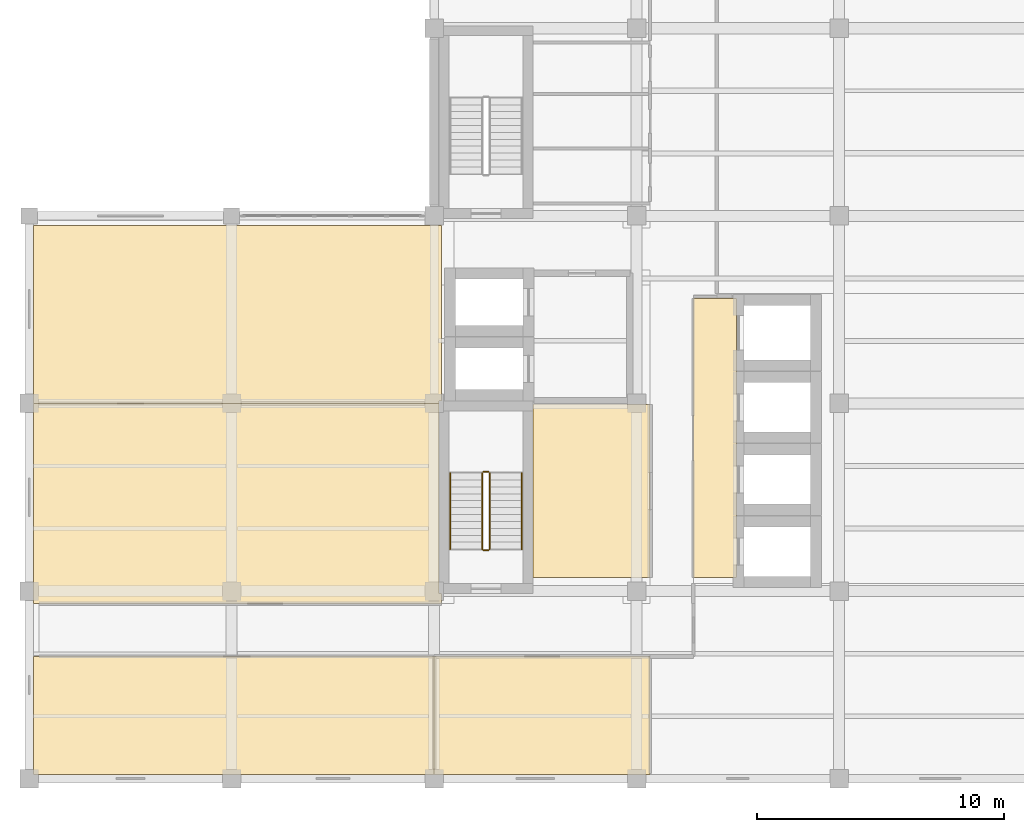
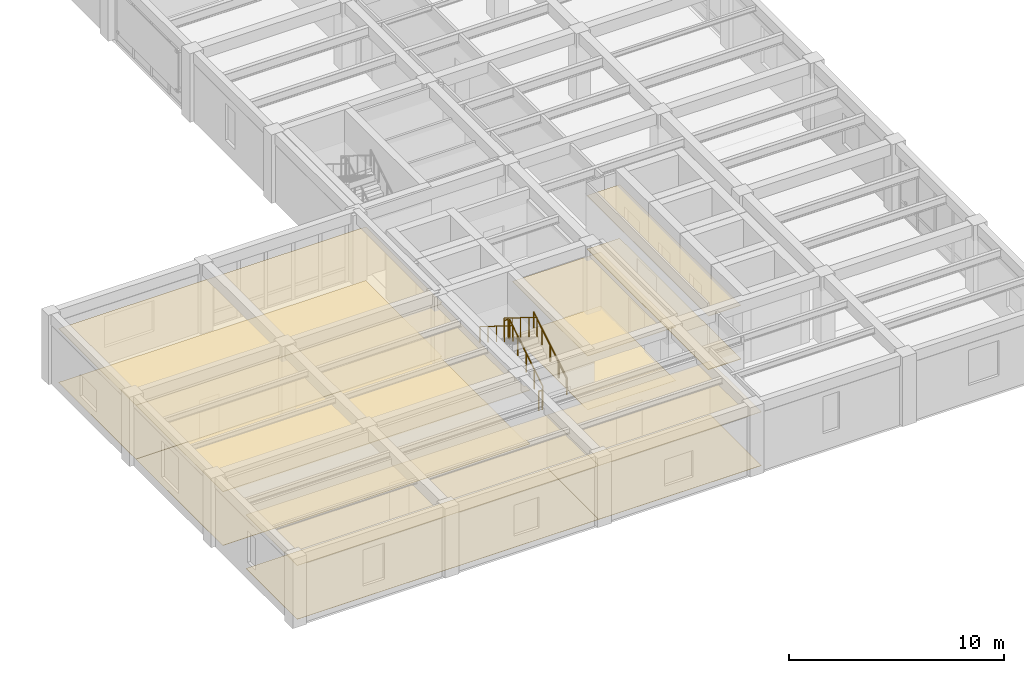
# One storey, part 11 of 14: 12 coverings, 6 railings.
"""IFC4 building model written with IfcOpenShell, lengths in metres."""

from ifc_helpers import new_model, si_unit, direction, frame, origin, origin_2d, place, context, subcontext, project, spatial, polyline, circle, outline, extrude, material, layer, layer_set, type_object, element, save


model = new_model("IFC4")

# Units and contexts
model_context = context("Model", 3, precision=1e-05, world=origin(), true_north=direction((0.0, 1.0)))
body_context = subcontext(model_context, "Body", "Model", "MODEL_VIEW")
ifc_project = project(units=[si_unit("LENGTHUNIT", "METRE"), si_unit("AREAUNIT", "SQUARE_METRE"), si_unit("VOLUMEUNIT", "CUBIC_METRE"), si_unit("PLANEANGLEUNIT", "RADIAN"), si_unit("MASSUNIT", "GRAM", prefix="KILO")], contexts=[model_context])

# Site, building, storey
site_placement = place(None, origin())
site = spatial("IfcSite", under=ifc_project, at=site_placement, CompositionType="ELEMENT")
building_placement = place(site_placement, origin())
building = spatial("IfcBuilding", under=site, at=building_placement, Name="Qandaris Square Conservatory and Botanical Centre", CompositionType="ELEMENT")
storey_placement = place(building_placement, frame((0.0, 0.0, 49.199951171875)))
storey = spatial("IfcBuildingStorey", under=building, at=storey_placement, Name="L11", CompositionType="ELEMENT", Elevation=49.199951171875)

# Coverings
ifc_material_1 = material(Name="Honed Qatari Limestone", Category="masonry")
ifc_layer_1 = layer(ifc_material_1, 0.030029296875)
ifc_layer_set_1 = layer_set([ifc_layer_1], Name="Honed Qatari Limestone")
covering_type_1 = type_object("IfcCoveringType", Name="Honed Qatari Limestone Concourse Paving", PredefinedType="FLOORING", material=ifc_layer_set_1)
covering_1_placement = place(storey_placement, origin())
element("IfcCovering", 1, at=covering_1_placement, inside=storey, type_object=covering_type_1, Name="Passenger Lift Lobby L11 Flooring", PredefinedType="FLOORING", context=body_context, shape_type="SweptSolid", body=[
    extrude(outline(polyline([(149.699951171875, 36.050048828125), (151.449951171875, 36.050048828125), (151.449951171875, 24.75), (149.699951171875, 24.75), (149.699951171875, 36.050048828125)])), origin(), (0.0, 0.0, 1.0), 0.030029296875),
])
ifc_material_2 = material(Name="Gypsum Plasterboard", Category="gypsum")
ifc_layer_2 = layer(ifc_material_2, 0.02490234375)
ifc_layer_set_2 = layer_set([ifc_layer_2], Name="Gypsum Plasterboard")
covering_type_2 = type_object("IfcCoveringType", Name="Perforated Acoustic Lab Ceiling Tile", PredefinedType="CEILING", material=ifc_layer_set_2)
covering_2_placement = place(storey_placement, frame((0.0, 0.0, 3.050048828125)))
element("IfcCovering", 2, at=covering_2_placement, inside=storey, type_object=covering_type_2, Name="Electrical and Telecom Riser Room L11 Ceiling", PredefinedType="CEILING", context=body_context, shape_type="SweptSolid", body=[
    extrude(outline(polyline([(147.949951171875, 31.75), (147.949951171875, 24.75), (143.199951171875, 24.75), (143.199951171875, 31.75), (147.949951171875, 31.75)])), origin(), (0.0, 0.0, 1.0), 0.02490234375),
])
covering_3_placement = place(storey_placement, frame((0.0, 0.0, 3.050048828125)))
element("IfcCovering", 3, at=covering_3_placement, inside=storey, type_object=covering_type_2, Name="Passenger Lift Lobby L11 Ceiling", PredefinedType="CEILING", context=body_context, shape_type="SweptSolid", body=[
    extrude(outline(polyline([(149.699951171875, 36.050048828125), (151.449951171875, 36.050048828125), (151.449951171875, 24.75), (149.699951171875, 24.75), (149.699951171875, 36.050048828125)])), origin(), (0.0, 0.0, 1.0), 0.02490234375),
])
covering_4_placement = place(storey_placement, frame((0.0, 0.0, 3.050048828125)))
element("IfcCovering", 4, at=covering_4_placement, inside=storey, type_object=covering_type_2, Name="Desert Lichenology Research Laboratory Ceiling", PredefinedType="CEILING", context=body_context, shape_type="SweptSolid", body=[
    extrude(outline(polyline([(123.199951171875, 21.550048828125), (139.199951171875, 21.550048828125), (139.199951171875, 16.780029296875), (122.97998046875, 16.780029296875), (122.97998046875, 21.550048828125), (123.199951171875, 21.550048828125)])), origin(), (0.0, 0.0, 1.0), 0.02490234375),
])
covering_5_placement = place(storey_placement, frame((0.0, 0.0, 3.050048828125)))
element("IfcCovering", 5, at=covering_5_placement, inside=storey, type_object=covering_type_2, Name="Carbon Flux Suite Ceiling", PredefinedType="CEILING", context=body_context, shape_type="SweptSolid", body=[
    extrude(outline(polyline([(147.949951171875, 21.550048828125), (147.949951171875, 16.780029296875), (139.199951171875, 16.780029296875), (139.199951171875, 21.550048828125), (147.949951171875, 21.550048828125)])), origin(), (0.0, 0.0, 1.0), 0.02490234375),
])
covering_6_placement = place(storey_placement, frame((0.0, 0.0, 3.050048828125)))
element("IfcCovering", 6, at=covering_6_placement, inside=storey, type_object=covering_type_2, Name="Remote Sensing GIS Research Laboratory South Ceiling", PredefinedType="CEILING", context=body_context, shape_type="SweptSolid", body=[
    extrude(outline(polyline([(139.5, 23.699951171875), (123.199951171875, 23.699951171875), (122.97998046875, 23.699951171875), (122.97998046875, 31.800048828125), (139.39990234375, 31.800048828125), (139.39990234375, 24.10009765625), (139.5, 24.10009765625), (139.5, 23.699951171875)])), origin(), (0.0, 0.0, 1.0), 0.02490234375),
])
covering_7_placement = place(storey_placement, frame((0.0, 0.0, 3.050048828125)))
element("IfcCovering", 7, at=covering_7_placement, inside=storey, type_object=covering_type_2, Name="Remote Sensing GIS Research Laboratory North Ceiling", PredefinedType="CEILING", context=body_context, shape_type="SweptSolid", body=[
    extrude(outline(polyline([(139.5, 31.89990234375), (139.39990234375, 31.89990234375), (139.39990234375, 31.800048828125), (122.97998046875, 31.800048828125), (122.97998046875, 39.0), (139.5, 39.0), (139.5, 31.89990234375)])), origin(), (0.0, 0.0, 1.0), 0.02490234375),
])
ifc_material_3 = material(Name="Epoxy Resin Screed", Category="finish")
ifc_layer_3 = layer(ifc_material_3, 0.014892578125)
ifc_layer_set_3 = layer_set([ifc_layer_3], Name="Epoxy Resin Screed")
covering_type_3 = type_object("IfcCoveringType", Name="Seamless Epoxy Laboratory Flooring", PredefinedType="FLOORING", material=ifc_layer_set_3)
covering_8_placement = place(storey_placement, origin())
element("IfcCovering", 8, at=covering_8_placement, inside=storey, type_object=covering_type_3, Name="Electrical and Telecom Riser Room L11 Flooring", PredefinedType="FLOORING", context=body_context, shape_type="SweptSolid", body=[
    extrude(outline(polyline([(147.949951171875, 31.75), (147.949951171875, 24.75), (143.199951171875, 24.75), (143.199951171875, 31.75), (147.949951171875, 31.75)])), origin(), (0.0, 0.0, 1.0), 0.01513671875),
])
covering_9_placement = place(storey_placement, origin())
element("IfcCovering", 9, at=covering_9_placement, inside=storey, type_object=covering_type_3, Name="Desert Lichenology Research Laboratory Flooring", PredefinedType="FLOORING", context=body_context, shape_type="SweptSolid", body=[
    extrude(outline(polyline([(123.199951171875, 21.550048828125), (139.199951171875, 21.550048828125), (139.199951171875, 16.780029296875), (122.97998046875, 16.780029296875), (122.97998046875, 21.550048828125), (123.199951171875, 21.550048828125)])), origin(), (0.0, 0.0, 1.0), 0.01513671875),
])
covering_10_placement = place(storey_placement, origin())
element("IfcCovering", 10, at=covering_10_placement, inside=storey, type_object=covering_type_3, Name="Carbon Flux Suite Flooring", PredefinedType="FLOORING", context=body_context, shape_type="SweptSolid", body=[
    extrude(outline(polyline([(147.949951171875, 21.550048828125), (147.949951171875, 16.780029296875), (139.199951171875, 16.780029296875), (139.199951171875, 21.550048828125), (147.949951171875, 21.550048828125)])), origin(), (0.0, 0.0, 1.0), 0.01513671875),
])
covering_11_placement = place(storey_placement, origin())
element("IfcCovering", 11, at=covering_11_placement, inside=storey, type_object=covering_type_3, Name="Remote Sensing GIS Research Laboratory South Flooring", PredefinedType="FLOORING", context=body_context, shape_type="SweptSolid", body=[
    extrude(outline(polyline([(139.5, 23.699951171875), (123.199951171875, 23.699951171875), (122.97998046875, 23.699951171875), (122.97998046875, 31.800048828125), (139.39990234375, 31.800048828125), (139.39990234375, 24.10009765625), (139.5, 24.10009765625), (139.5, 23.699951171875)])), origin(), (0.0, 0.0, 1.0), 0.01513671875),
])
covering_12_placement = place(storey_placement, origin())
element("IfcCovering", 12, at=covering_12_placement, inside=storey, type_object=covering_type_3, Name="Remote Sensing GIS Research Laboratory North Flooring", PredefinedType="FLOORING", context=body_context, shape_type="SweptSolid", body=[
    extrude(outline(polyline([(139.5, 31.89990234375), (139.39990234375, 31.89990234375), (139.39990234375, 31.800048828125), (122.97998046875, 31.800048828125), (122.97998046875, 39.0), (139.5, 39.0), (139.5, 31.89990234375)])), origin(), (0.0, 0.0, 1.0), 0.01513671875),
])

# Railings
ifc_material_4 = material(Name="Stainless Steel", Category="steel")
railing_type_1 = type_object("IfcRailingType", Name="Stair Tubular Handrail 920mm", PredefinedType="HANDRAIL", material=ifc_material_4)
railing_1_placement = place(storey_placement, frame((142.75, 25.89990234375, 0.35009765625)))
element("IfcRailing", 13, at=railing_1_placement, inside=storey, type_object=railing_type_1, Name="L11 ST-1 stair handrail 1", PredefinedType="HANDRAIL", context=body_context, shape_type="SweptSolid", body=[
    extrude(circle(Radius=0.02392578125, at=origin_2d()), frame((0.0, 0.0, 0.89599609375), z_axis=(0.0, 0.847998304005, 0.529998940003), x_axis=(-1.0, 0.0, 0.0)), (0.0, 0.0, 1.0), 3.632080078125),
    extrude(circle(Radius=0.02099609375, at=origin_2d()), origin(), (0.0, 0.0, 1.0), 0.871826171875),
    extrude(circle(Radius=0.02099609375, at=origin_2d()), frame((0.0, 0.77001953125, 0.481201171875)), (0.0, 0.0, 1.0), 0.871826171875),
    extrude(circle(Radius=0.02099609375, at=origin_2d()), frame((0.0, 1.5400390625, 0.96240234375)), (0.0, 0.0, 1.0), 0.871826171875),
    extrude(circle(Radius=0.02099609375, at=origin_2d()), frame((0.0, 2.31005859375, 1.44384765625)), (0.0, 0.0, 1.0), 0.871826171875),
    extrude(circle(Radius=0.02099609375, at=origin_2d()), frame((0.0, 3.080078125, 1.925048828125)), (0.0, 0.0, 1.0), 0.871826171875),
])
railing_2_placement = place(storey_placement, frame((139.85009765625, 28.97998046875, 2.449951171875)))
element("IfcRailing", 14, at=railing_2_placement, inside=storey, type_object=railing_type_1, Name="L11 ST-1 stair handrail 2", PredefinedType="HANDRAIL", context=body_context, shape_type="SweptSolid", body=[
    extrude(circle(Radius=0.02392578125, at=origin_2d()), frame((0.0, 0.0, 0.89599609375), z_axis=(0.0, -0.847998304005, 0.529998940003), x_axis=(1.0, 0.0, 0.0)), (0.0, 0.0, 1.0), 3.632080078125),
    extrude(circle(Radius=0.02099609375, at=origin_2d()), origin(), (0.0, 0.0, 1.0), 0.871826171875),
    extrude(circle(Radius=0.02099609375, at=origin_2d()), frame((0.0, -0.77001953125, 0.481201171875)), (0.0, 0.0, 1.0), 0.871826171875),
    extrude(circle(Radius=0.02099609375, at=origin_2d()), frame((0.0, -1.5400390625, 0.96240234375)), (0.0, 0.0, 1.0), 0.871826171875),
    extrude(circle(Radius=0.02099609375, at=origin_2d()), frame((0.0, -2.31005859375, 1.44384765625)), (0.0, 0.0, 1.0), 0.871826171875),
    extrude(circle(Radius=0.02099609375, at=origin_2d()), frame((0.0, -3.080078125, 1.925048828125)), (0.0, 0.0, 1.0), 0.871826171875),
])
railing_type_2 = type_object("IfcRailingType", Name="Stairwell & Atrium Guardrail 1120mm", PredefinedType="GUARDRAIL", material=ifc_material_4)
railing_3_placement = place(storey_placement, frame((141.449951171875, 25.89990234375, 0.175048828125)))
element("IfcRailing", 15, at=railing_3_placement, inside=storey, type_object=railing_type_2, Name="L11 ST-1 stair guard 1", PredefinedType="GUARDRAIL", context=body_context, shape_type="SweptSolid", body=[
    extrude(circle(Radius=0.02392578125, at=origin_2d()), frame((0.0, 0.0, 1.09619140625), z_axis=(0.0, 0.847998304005, 0.529998940003), x_axis=(-1.0, 0.0, 0.0)), (0.0, 0.0, 1.0), 3.632080078125),
    extrude(circle(Radius=0.02099609375, at=origin_2d()), origin(), (0.0, 0.0, 1.0), 1.072021484375),
    extrude(circle(Radius=0.02099609375, at=origin_2d()), frame((0.0, 0.77001953125, 0.481201171875)), (0.0, 0.0, 1.0), 1.072021484375),
    extrude(circle(Radius=0.02099609375, at=origin_2d()), frame((0.0, 1.5400390625, 0.96240234375)), (0.0, 0.0, 1.0), 1.072021484375),
    extrude(circle(Radius=0.02099609375, at=origin_2d()), frame((0.0, 2.31005859375, 1.44384765625)), (0.0, 0.0, 1.0), 1.072021484375),
    extrude(circle(Radius=0.02099609375, at=origin_2d()), frame((0.0, 3.080078125, 1.925048828125)), (0.0, 0.0, 1.0), 1.072021484375),
])
railing_4_placement = place(storey_placement, frame((141.39990234375, 29.030029296875, 2.10009765625)))
element("IfcRailing", 16, at=railing_4_placement, inside=storey, type_object=railing_type_2, Name="L11 ST-1 stair guard 2", PredefinedType="GUARDRAIL", context=body_context, shape_type="SweptSolid", body=[
    extrude(circle(Radius=0.02392578125, at=origin_2d()), frame((0.0, 0.0, 1.09619140625), z_axis=(-1.0, 0.0, 0.0), x_axis=(0.0, -1.0, 0.0)), (0.0, 0.0, 1.0), 0.199951171875),
    extrude(circle(Radius=0.02099609375, at=origin_2d()), origin(), (0.0, 0.0, 1.0), 1.072021484375),
    extrude(circle(Radius=0.02099609375, at=origin_2d()), frame((-0.199951171875, 0.0, 0.0)), (0.0, 0.0, 1.0), 1.072021484375),
])
railing_5_placement = place(storey_placement, frame((141.14990234375, 28.97998046875, 2.275146484375)))
element("IfcRailing", 17, at=railing_5_placement, inside=storey, type_object=railing_type_2, Name="L11 ST-1 stair guard 3", PredefinedType="GUARDRAIL", context=body_context, shape_type="SweptSolid", body=[
    extrude(circle(Radius=0.02392578125, at=origin_2d()), frame((0.0, 0.0, 1.09619140625), z_axis=(0.0, -0.848028513186, 0.529950602248), x_axis=(1.0, 0.0, 0.0)), (0.0, 0.0, 1.0), 3.632080078125),
    extrude(circle(Radius=0.02099609375, at=origin_2d()), origin(), (0.0, 0.0, 1.0), 1.072021484375),
    extrude(circle(Radius=0.02099609375, at=origin_2d()), frame((0.0, -0.77001953125, 0.481201171875)), (0.0, 0.0, 1.0), 1.072021484375),
    extrude(circle(Radius=0.02099609375, at=origin_2d()), frame((0.0, -1.5400390625, 0.96240234375)), (0.0, 0.0, 1.0), 1.072021484375),
    extrude(circle(Radius=0.02099609375, at=origin_2d()), frame((0.0, -2.31005859375, 1.443603515625)), (0.0, 0.0, 1.0), 1.072021484375),
    extrude(circle(Radius=0.02099609375, at=origin_2d()), frame((0.0, -3.080078125, 1.9248046875)), (0.0, 0.0, 1.0), 1.072021484375),
])
railing_6_placement = place(storey_placement, frame((141.39990234375, 25.85009765625, 0.0)))
element("IfcRailing", 18, at=railing_6_placement, inside=storey, type_object=railing_type_2, Name="L11 ST-1 stair guard 4", PredefinedType="GUARDRAIL", context=body_context, shape_type="SweptSolid", body=[
    extrude(circle(Radius=0.02392578125, at=origin_2d()), frame((0.0, 0.0, 1.09619140625), z_axis=(-1.0, 0.0, 0.0), x_axis=(0.0, -1.0, 0.0)), (0.0, 0.0, 1.0), 0.199951171875),
    extrude(circle(Radius=0.02099609375, at=origin_2d()), origin(), (0.0, 0.0, 1.0), 1.072021484375),
    extrude(circle(Radius=0.02099609375, at=origin_2d()), frame((-0.199951171875, 0.0, 0.0)), (0.0, 0.0, 1.0), 1.072021484375),
])

save(model, "model.ifc")
